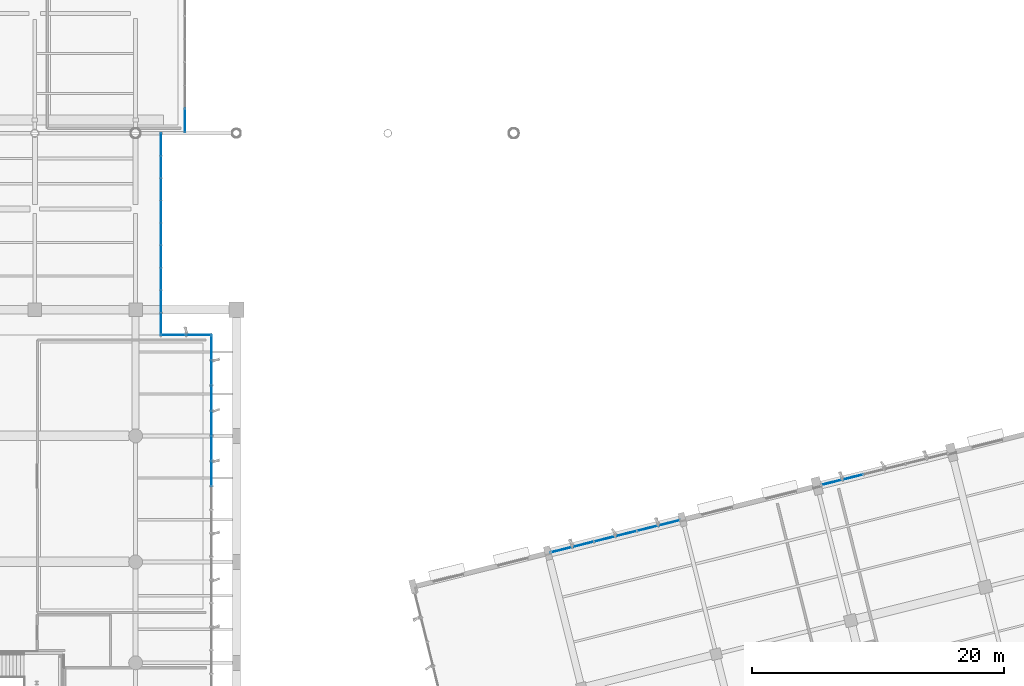
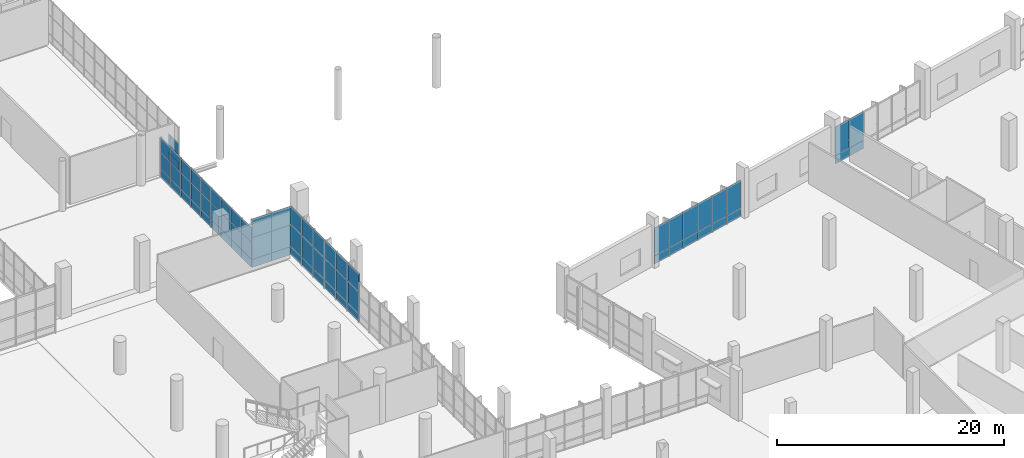
# One storey, part 130 of 176: 69 plates, 6 elements without a shape of their own.
"""IFC4 building model written with IfcOpenShell, lengths in metres."""

import ifcopenshell
import ifcopenshell.guid

model = None  # the IFC model being written
_history = None  # IfcOwnerHistory: only IFC2X3 demands one
_inside = {}  # id of a spatial element -> (the spatial element, [elements in it])
_under = {}  # id of a project, library or spatial element -> (it, [spatial elements below it])
_declared = {}  # id of a project -> (the project, [libraries it declares])
_typed = {}  # id of a type object -> (the type object, [elements of that type])
_made_of = {}  # id of a material, layer set ... -> (it, [elements and type objects made of it])


def new_model(schema):
    """Start an empty IFC model of exactly this schema.

    Asked for "IFC4X3", IfcOpenShell would pick the latest addendum, in which some entities
    have other attributes; the version numbers below select the first issue.
    IFC2X3 requires an IfcOwnerHistory on every rooted entity: one is made here for all.
    """
    global model, _history
    if schema == "IFC4X3":
        model = ifcopenshell.file(schema_version=(4, 3, 0, 0))
    else:
        model = ifcopenshell.file(schema=schema)
    _inside.clear()
    _under.clear()
    _declared.clear()
    _typed.clear()
    _made_of.clear()
    _history = None
    if model.schema == "IFC2X3":
        org = make("IfcOrganization", Name="unknown")
        user = make(
            "IfcPersonAndOrganization",
            ThePerson=make("IfcPerson", FamilyName="unknown"),
            TheOrganization=org,
        )
        app = make(
            "IfcApplication",
            ApplicationDeveloper=org,
            Version="unknown",
            ApplicationFullName="unknown",
            ApplicationIdentifier="unknown",
        )
        _history = make(
            "IfcOwnerHistory",
            OwningUser=user,
            OwningApplication=app,
            ChangeAction="ADDED",
            CreationDate=0,
        )
    return model


def make(cls, **values):
    """One entity of the class cls with the attributes given. An attribute that is None is left unset."""
    return model.create_entity(
        cls, **{name: value for name, value in values.items() if value is not None}
    )


def rooted(cls, **values):
    """An entity with a GlobalId (a new one), such as an element, a storey or a relation."""
    return make(cls, GlobalId=ifcopenshell.guid.new(), OwnerHistory=_history, **values)


def si_unit(unit_type, name, prefix=None):
    """IfcSIUnit, for example si_unit("LENGTHUNIT", "METRE", prefix="MILLI")."""
    return make("IfcSIUnit", UnitType=unit_type, Prefix=prefix, Name=name)


def assignment(units):
    """IfcUnitAssignment: the units of a project."""
    return None if units is None else make("IfcUnitAssignment", Units=units)


def point(xyz):
    """IfcCartesianPoint."""
    return None if xyz is None else make("IfcCartesianPoint", Coordinates=xyz)


def direction(xyz):
    """IfcDirection."""
    return None if xyz is None else make("IfcDirection", DirectionRatios=xyz)


def frame(location, z_axis=None, x_axis=None):
    """IfcAxis2Placement3D, a coordinate frame: its origin and axes. An axis left out is left unset."""
    return make(
        "IfcAxis2Placement3D",
        Location=point(location),
        Axis=direction(z_axis),
        RefDirection=direction(x_axis),
    )


def frame_2d(location, x_axis=None):
    """IfcAxis2Placement2D, a coordinate frame in the plane: its origin and x axis."""
    return make(
        "IfcAxis2Placement2D", Location=point(location), RefDirection=direction(x_axis)
    )


def origin():
    """The frame at (0, 0, 0) with its axes left unset."""
    return frame((0.0, 0.0, 0.0))


def origin_2d():
    """The frame at (0, 0) in the plane with its x axis left unset."""
    return frame_2d((0.0, 0.0))


def place(relative_to, where):
    """IfcLocalPlacement: puts the frame where relative to a parent placement (None: the world)."""
    return make(
        "IfcLocalPlacement", PlacementRelTo=relative_to, RelativePlacement=where
    )


def context(
    kind, dimensions, precision=None, world=None, true_north=None, identifier=None
):
    """IfcGeometricRepresentationContext, for example the 3D "Model" context."""
    return make(
        "IfcGeometricRepresentationContext",
        ContextIdentifier=identifier,
        ContextType=kind,
        CoordinateSpaceDimension=dimensions,
        Precision=precision,
        WorldCoordinateSystem=world,
        TrueNorth=true_north,
    )


def subcontext(parent, identifier, kind, view, scale=None):
    """IfcGeometricRepresentationSubContext, for example "Body" below "Model"."""
    return make(
        "IfcGeometricRepresentationSubContext",
        ContextIdentifier=identifier,
        ContextType=kind,
        ParentContext=parent,
        TargetScale=scale,
        TargetView=view,
    )


def project(units=None, contexts=None):
    """IfcProject with its units and contexts."""
    return rooted(
        "IfcProject",
        Name="project",
        RepresentationContexts=contexts,
        UnitsInContext=assignment(units),
    )


def spatial(cls, under=None, at=None, **own):
    """A site, building, storey or space (cls), placed at a placement, below another one or the project."""
    s = rooted(cls, ObjectPlacement=at, **own)
    if under is not None:
        _under.setdefault(under.id(), (under, []))[1].append(s)
    return s


def profile(cls, at=None, kind="AREA", **sizes):
    """A parametric profile (cls). Its sizes go by their IFC names, for example OverallWidth=200.0."""
    return make(cls, ProfileType=kind, Position=at, **sizes)


def rectangle(**sizes):
    """IfcRectangleProfileDef."""
    return profile("IfcRectangleProfileDef", **sizes)


def extrude(swept, where, along, depth):
    """IfcExtrudedAreaSolid: the profile swept, set in the frame where, extruded along a direction by depth."""
    return make(
        "IfcExtrudedAreaSolid",
        SweptArea=swept,
        Position=where,
        ExtrudedDirection=direction(along),
        Depth=depth,
    )


def shape(context_of_items, identifier, shape_type, items):
    """IfcShapeRepresentation: the items that make up one representation, for example the "Body"."""
    return make(
        "IfcShapeRepresentation",
        ContextOfItems=context_of_items,
        RepresentationIdentifier=identifier,
        RepresentationType=shape_type,
        Items=items,
    )


def material(Name=None, Category=None):
    """IfcMaterial."""
    return make("IfcMaterial", Name=Name, Category=Category)


def layer(
    of_material, thickness, ventilated=None, Name=None, Category=None, Priority=None
):
    """IfcMaterialLayer: one layer of a wall or slab, of a material (None: an air gap)."""
    return make(
        "IfcMaterialLayer",
        Material=of_material,
        LayerThickness=thickness,
        IsVentilated=ventilated,
        Name=Name,
        Category=Category,
        Priority=Priority,
    )


def layer_set(layers, Name=None):
    """IfcMaterialLayerSet."""
    return make("IfcMaterialLayerSet", MaterialLayers=layers, LayerSetName=Name)


def made_of(thing, what):
    """Note that an element or type object is made of a material, layer set ...; save() writes the relation."""
    if what is not None:
        _made_of.setdefault(what.id(), (what, []))[1].append(thing)
    return thing


def type_object(cls, material=None, **own):
    """A type object (cls), such as IfcWallType, which elements share."""
    return made_of(rooted(cls, **own), material)


def element(
    cls,
    number,
    at=None,
    inside=None,
    cuts=None,
    type_object=None,
    material=None,
    context=None,
    identifier="Body",
    shape_type=None,
    held_by="IfcProductDefinitionShape",
    body=None,
    shapes=None,
    **own,
):
    """One element of the class cls, such as IfcWall. Its Tag is "e" and its number.

    at: its placement. inside: the storey or other place that contains it. cuts: it is an
    opening in that element (IfcRelVoidsElement). A single representation is given by context,
    identifier, shape_type and body (its items); several are given by shapes. held_by: the class
    of the entity that holds the representations. save() writes the other relations.
    """
    e = rooted(cls, Tag="e%d" % number, ObjectPlacement=at, **own)
    if body is not None:
        shapes = [shape(context, identifier, shape_type, body)]
    if shapes is not None:
        e.Representation = make(held_by, Representations=shapes)
    if inside is not None:
        _inside.setdefault(inside.id(), (inside, []))[1].append(e)
    if cuts is not None:
        rooted(
            "IfcRelVoidsElement", RelatingBuildingElement=cuts, RelatedOpeningElement=e
        )
    if type_object is not None:
        _typed.setdefault(type_object.id(), (type_object, []))[1].append(e)
    return made_of(e, material)


def aggregate(whole, parts):
    """IfcRelAggregates: a whole, such as a stair, and the parts it consists of."""
    return rooted("IfcRelAggregates", RelatingObject=whole, RelatedObjects=parts)


def save(model, path):
    """Write the relations noted so far, then the file.

    IfcRelAggregates (storeys below a building ...), IfcRelContainedInSpatialStructure (elements
    in a storey), IfcRelDefinesByType, IfcRelAssociatesMaterial and IfcRelDeclares: one each for
    every whole, place, type object, material and project.
    """
    for whole, parts in _under.values():
        aggregate(whole, parts)
    for where, things in _inside.values():
        rooted(
            "IfcRelContainedInSpatialStructure",
            RelatedElements=things,
            RelatingStructure=where,
        )
    for kind, things in _typed.values():
        rooted("IfcRelDefinesByType", RelatedObjects=things, RelatingType=kind)
    for what, things in _made_of.values():
        rooted("IfcRelAssociatesMaterial", RelatedObjects=things, RelatingMaterial=what)
    for by, libraries in _declared.values():
        rooted("IfcRelDeclares", RelatingContext=by, RelatedDefinitions=libraries)
    model.write(path)


model = new_model("IFC4")

# Units and contexts
model_context = context("Model", 3, precision=1e-05, world=origin(), true_north=direction((0.0, 1.0)))
body_context = subcontext(model_context, "Body", "Model", "MODEL_VIEW")
ifc_project = project(units=[si_unit("LENGTHUNIT", "METRE"), si_unit("AREAUNIT", "SQUARE_METRE"), si_unit("VOLUMEUNIT", "CUBIC_METRE"), si_unit("PLANEANGLEUNIT", "RADIAN"), si_unit("MASSUNIT", "GRAM", prefix="KILO")], contexts=[model_context])

# Site, building, storey
site_placement = place(None, origin())
site = spatial("IfcSite", under=ifc_project, at=site_placement, CompositionType="ELEMENT")
building_placement = place(site_placement, origin())
building = spatial("IfcBuilding", under=site, at=building_placement, Name="Khorjan Park Terminus", CompositionType="ELEMENT")
storey_placement = place(building_placement, frame((0.0, 0.0, 6.0)))
storey = spatial("IfcBuildingStorey", under=building, at=storey_placement, Name="L01", CompositionType="ELEMENT", Elevation=6.0)

# Curtain wall, plates
ifc_material_1 = material(Name="Anodized Bronze Aluminium", Category="aluminium")
ifc_layer_1 = layer(ifc_material_1, 0.22)
ifc_layer_set_1 = layer_set([ifc_layer_1], Name="Anodized Bronze Aluminium")
curtain_wall_type_1 = type_object("IfcCurtainWallType", Name="CW-BRG-D", PredefinedType="NOTDEFINED", material=ifc_layer_set_1)
curtain_wall_1_placement = place(storey_placement, origin())
curtain_wall_1 = element("IfcCurtainWall", 1, at=curtain_wall_1_placement, inside=storey, type_object=curtain_wall_type_1, Name="Unitized curtain wall CW-D (CW-NKE-E-L01)", PredefinedType="NOTDEFINED")
ifc_material_2 = material(Name="Low-E Solar Control Double Glazing", Category="glass")
ifc_layer_2 = layer(ifc_material_2, 0.032)
ifc_layer_set_2 = layer_set([ifc_layer_2], Name="Low-E Solar Control Double Glazing")
plate_type_1 = type_object("IfcPlateType", Name="GL-VIS-32", PredefinedType="CURTAIN_PANEL", material=ifc_layer_set_2)
plate_1_placement = place(storey_placement, frame((130.0, 86.8889, 0.85), z_axis=(0.0, 0.0, 1.0), x_axis=(0.0, 1.0, 0.0)))
plate_1 = element("IfcPlate", 2, at=plate_1_placement, type_object=plate_type_1, Name="Curtain-wall panel VP-32 (CW-NKE-E-L01-0-2)", PredefinedType="CURTAIN_PANEL", context=body_context, shape_type="SweptSolid", body=[
    extrude(rectangle(XDim=1.7778, YDim=0.032, at=origin_2d()), origin(), (0.0, 0.0, 1.0), 1.7695),
])
plate_2_placement = place(storey_placement, frame((130.0, 86.8889, 2.6196), z_axis=(0.0, 0.0, 1.0), x_axis=(0.0, 1.0, 0.0)))
plate_2 = element("IfcPlate", 3, at=plate_2_placement, type_object=plate_type_1, Name="Curtain-wall panel VP-32 (CW-NKE-E-L01-0-3)", PredefinedType="CURTAIN_PANEL", context=body_context, shape_type="SweptSolid", body=[
    extrude(rectangle(XDim=1.7778, YDim=0.032, at=origin_2d()), origin(), (0.0, 0.0, 1.0), 1.6155),
])
plate_3_placement = place(storey_placement, frame((130.0, 88.6667, 0.85), z_axis=(0.0, 0.0, 1.0), x_axis=(0.0, 1.0, 0.0)))
plate_3 = element("IfcPlate", 4, at=plate_3_placement, type_object=plate_type_1, Name="Curtain-wall panel VP-32 (CW-NKE-E-L01-1-2)", PredefinedType="CURTAIN_PANEL", context=body_context, shape_type="SweptSolid", body=[
    extrude(rectangle(XDim=1.7778, YDim=0.032, at=origin_2d()), origin(), (0.0, 0.0, 1.0), 1.7695),
])
plate_4_placement = place(storey_placement, frame((130.0, 88.6667, 2.6196), z_axis=(0.0, 0.0, 1.0), x_axis=(0.0, 1.0, 0.0)))
plate_4 = element("IfcPlate", 5, at=plate_4_placement, type_object=plate_type_1, Name="Curtain-wall panel VP-32 (CW-NKE-E-L01-1-3)", PredefinedType="CURTAIN_PANEL", context=body_context, shape_type="SweptSolid", body=[
    extrude(rectangle(XDim=1.7778, YDim=0.032, at=origin_2d()), origin(), (0.0, 0.0, 1.0), 1.6155),
])
plate_5_placement = place(storey_placement, frame((130.0, 90.4444, 0.85), z_axis=(0.0, 0.0, 1.0), x_axis=(0.0, 1.0, 0.0)))
plate_5 = element("IfcPlate", 6, at=plate_5_placement, type_object=plate_type_1, Name="Curtain-wall panel VP-32 (CW-NKE-E-L01-2-2)", PredefinedType="CURTAIN_PANEL", context=body_context, shape_type="SweptSolid", body=[
    extrude(rectangle(XDim=1.7778, YDim=0.032, at=origin_2d()), origin(), (0.0, 0.0, 1.0), 1.7695),
])
plate_6_placement = place(storey_placement, frame((130.0, 90.4444, 2.6196), z_axis=(0.0, 0.0, 1.0), x_axis=(0.0, 1.0, 0.0)))
plate_6 = element("IfcPlate", 7, at=plate_6_placement, type_object=plate_type_1, Name="Curtain-wall panel VP-32 (CW-NKE-E-L01-2-3)", PredefinedType="CURTAIN_PANEL", context=body_context, shape_type="SweptSolid", body=[
    extrude(rectangle(XDim=1.7778, YDim=0.032, at=origin_2d()), origin(), (0.0, 0.0, 1.0), 1.6155),
])
plate_7_placement = place(storey_placement, frame((130.0, 92.2222, 0.85), z_axis=(0.0, 0.0, 1.0), x_axis=(0.0, 1.0, 0.0)))
plate_7 = element("IfcPlate", 8, at=plate_7_placement, type_object=plate_type_1, Name="Curtain-wall panel VP-32 (CW-NKE-E-L01-3-2)", PredefinedType="CURTAIN_PANEL", context=body_context, shape_type="SweptSolid", body=[
    extrude(rectangle(XDim=1.7778, YDim=0.032, at=origin_2d()), origin(), (0.0, 0.0, 1.0), 1.7695),
])
plate_8_placement = place(storey_placement, frame((130.0, 92.2222, 2.6196), z_axis=(0.0, 0.0, 1.0), x_axis=(0.0, 1.0, 0.0)))
plate_8 = element("IfcPlate", 9, at=plate_8_placement, type_object=plate_type_1, Name="Curtain-wall panel VP-32 (CW-NKE-E-L01-3-3)", PredefinedType="CURTAIN_PANEL", context=body_context, shape_type="SweptSolid", body=[
    extrude(rectangle(XDim=1.7778, YDim=0.032, at=origin_2d()), origin(), (0.0, 0.0, 1.0), 1.6155),
])
plate_9_placement = place(storey_placement, frame((130.0, 94.0, 0.85), z_axis=(0.0, 0.0, 1.0), x_axis=(0.0, 1.0, 0.0)))
plate_9 = element("IfcPlate", 10, at=plate_9_placement, type_object=plate_type_1, Name="Curtain-wall panel VP-32 (CW-NKE-E-L01-4-2)", PredefinedType="CURTAIN_PANEL", context=body_context, shape_type="SweptSolid", body=[
    extrude(rectangle(XDim=1.7778, YDim=0.032, at=origin_2d()), origin(), (0.0, 0.0, 1.0), 1.7695),
])
plate_10_placement = place(storey_placement, frame((130.0, 94.0, 2.6196), z_axis=(0.0, 0.0, 1.0), x_axis=(0.0, 1.0, 0.0)))
plate_10 = element("IfcPlate", 11, at=plate_10_placement, type_object=plate_type_1, Name="Curtain-wall panel VP-32 (CW-NKE-E-L01-4-3)", PredefinedType="CURTAIN_PANEL", context=body_context, shape_type="SweptSolid", body=[
    extrude(rectangle(XDim=1.7778, YDim=0.032, at=origin_2d()), origin(), (0.0, 0.0, 1.0), 1.6155),
])
plate_11_placement = place(storey_placement, frame((130.0, 95.7778, 0.85), z_axis=(0.0, 0.0, 1.0), x_axis=(0.0, 1.0, 0.0)))
plate_11 = element("IfcPlate", 12, at=plate_11_placement, type_object=plate_type_1, Name="Curtain-wall panel VP-32 (CW-NKE-E-L01-5-2)", PredefinedType="CURTAIN_PANEL", context=body_context, shape_type="SweptSolid", body=[
    extrude(rectangle(XDim=1.7778, YDim=0.032, at=origin_2d()), origin(), (0.0, 0.0, 1.0), 1.7695),
])
plate_12_placement = place(storey_placement, frame((130.0, 95.7778, 2.6196), z_axis=(0.0, 0.0, 1.0), x_axis=(0.0, 1.0, 0.0)))
plate_12 = element("IfcPlate", 13, at=plate_12_placement, type_object=plate_type_1, Name="Curtain-wall panel VP-32 (CW-NKE-E-L01-5-3)", PredefinedType="CURTAIN_PANEL", context=body_context, shape_type="SweptSolid", body=[
    extrude(rectangle(XDim=1.7778, YDim=0.032, at=origin_2d()), origin(), (0.0, 0.0, 1.0), 1.6155),
])
plate_13_placement = place(storey_placement, frame((130.0, 97.5556, 0.85), z_axis=(0.0, 0.0, 1.0), x_axis=(0.0, 1.0, 0.0)))
plate_13 = element("IfcPlate", 14, at=plate_13_placement, type_object=plate_type_1, Name="Curtain-wall panel VP-32 (CW-NKE-E-L01-6-2)", PredefinedType="CURTAIN_PANEL", context=body_context, shape_type="SweptSolid", body=[
    extrude(rectangle(XDim=1.7778, YDim=0.032, at=origin_2d()), origin(), (0.0, 0.0, 1.0), 1.7695),
])
plate_14_placement = place(storey_placement, frame((130.0, 97.5556, 2.6196), z_axis=(0.0, 0.0, 1.0), x_axis=(0.0, 1.0, 0.0)))
plate_14 = element("IfcPlate", 15, at=plate_14_placement, type_object=plate_type_1, Name="Curtain-wall panel VP-32 (CW-NKE-E-L01-6-3)", PredefinedType="CURTAIN_PANEL", context=body_context, shape_type="SweptSolid", body=[
    extrude(rectangle(XDim=1.7778, YDim=0.032, at=origin_2d()), origin(), (0.0, 0.0, 1.0), 1.6155),
])
plate_15_placement = place(storey_placement, frame((130.0, 99.3333, 0.85), z_axis=(0.0, 0.0, 1.0), x_axis=(0.0, 1.0, 0.0)))
plate_15 = element("IfcPlate", 16, at=plate_15_placement, type_object=plate_type_1, Name="Curtain-wall panel VP-32 (CW-NKE-E-L01-7-2)", PredefinedType="CURTAIN_PANEL", context=body_context, shape_type="SweptSolid", body=[
    extrude(rectangle(XDim=1.7778, YDim=0.032, at=origin_2d()), origin(), (0.0, 0.0, 1.0), 1.7695),
])
plate_16_placement = place(storey_placement, frame((130.0, 99.3333, 2.6196), z_axis=(0.0, 0.0, 1.0), x_axis=(0.0, 1.0, 0.0)))
plate_16 = element("IfcPlate", 17, at=plate_16_placement, type_object=plate_type_1, Name="Curtain-wall panel VP-32 (CW-NKE-E-L01-7-3)", PredefinedType="CURTAIN_PANEL", context=body_context, shape_type="SweptSolid", body=[
    extrude(rectangle(XDim=1.7778, YDim=0.032, at=origin_2d()), origin(), (0.0, 0.0, 1.0), 1.6155),
])
plate_17_placement = place(storey_placement, frame((130.0, 101.1111, 0.85), z_axis=(0.0, 0.0, 1.0), x_axis=(0.0, 1.0, 0.0)))
plate_17 = element("IfcPlate", 18, at=plate_17_placement, type_object=plate_type_1, Name="Curtain-wall panel VP-32 (CW-NKE-E-L01-8-2)", PredefinedType="CURTAIN_PANEL", context=body_context, shape_type="SweptSolid", body=[
    extrude(rectangle(XDim=1.7778, YDim=0.032, at=origin_2d()), origin(), (0.0, 0.0, 1.0), 1.7695),
])
plate_18_placement = place(storey_placement, frame((130.0, 101.1111, 2.6196), z_axis=(0.0, 0.0, 1.0), x_axis=(0.0, 1.0, 0.0)))
plate_18 = element("IfcPlate", 19, at=plate_18_placement, type_object=plate_type_1, Name="Curtain-wall panel VP-32 (CW-NKE-E-L01-8-3)", PredefinedType="CURTAIN_PANEL", context=body_context, shape_type="SweptSolid", body=[
    extrude(rectangle(XDim=1.7778, YDim=0.032, at=origin_2d()), origin(), (0.0, 0.0, 1.0), 1.6155),
])

ifc_layer_3 = layer(ifc_material_1, 0.22)
ifc_layer_set_3 = layer_set([ifc_layer_3], Name="Anodized Bronze Aluminium")
curtain_wall_type_2 = type_object("IfcCurtainWallType", Name="CW-OPS-B", PredefinedType="NOTDEFINED", material=ifc_layer_set_3)
curtain_wall_2_placement = place(storey_placement, origin())
curtain_wall_2 = element("IfcCurtainWall", 20, at=curtain_wall_2_placement, inside=storey, type_object=curtain_wall_type_2, Name="Unitized curtain wall CW-B (CW-V5-N-L01-B03)", PredefinedType="NOTDEFINED")
plate_19_placement = place(storey_placement, frame((184.8813, 74.7281, 0.85), z_axis=(0.0, 0.0, 1.0), x_axis=(-0.970295910648, -0.241921156122, 0.0)))
plate_19 = element("IfcPlate", 21, at=plate_19_placement, type_object=plate_type_1, Name="Curtain-wall panel VP-32 (CW-V5-N-L01-B03-4-2)", PredefinedType="CURTAIN_PANEL", context=body_context, shape_type="SweptSolid", body=[
    extrude(rectangle(XDim=1.7233, YDim=0.032, at=origin_2d()), origin(), (0.0, 0.0, 1.0), 3.095),
])
plate_20_placement = place(storey_placement, frame((183.2092, 74.3113, 0.85), z_axis=(0.0, 0.0, 1.0), x_axis=(-0.970295910648, -0.241921156122, 0.0)))
plate_20 = element("IfcPlate", 22, at=plate_20_placement, type_object=plate_type_1, Name="Curtain-wall panel VP-32 (CW-V5-N-L01-B03-5-2)", PredefinedType="CURTAIN_PANEL", context=body_context, shape_type="SweptSolid", body=[
    extrude(rectangle(XDim=1.7233, YDim=0.032, at=origin_2d()), origin(), (0.0, 0.0, 1.0), 3.095),
])

# Curtain wall, plate
curtain_wall_3_placement = place(storey_placement, origin())
curtain_wall_3 = element("IfcCurtainWall", 23, at=curtain_wall_3_placement, inside=storey, type_object=curtain_wall_type_1, Name="Unitized curtain wall CW-D (CW-BRE-E-1)", PredefinedType="NOTDEFINED")
plate_21_placement = place(storey_placement, frame((131.9, 103.0214, 0.85), z_axis=(0.0, 0.0, 1.0), x_axis=(0.0, 1.0, 0.0)))
plate_21 = element("IfcPlate", 24, at=plate_21_placement, type_object=plate_type_1, Name="Curtain-wall panel VP-32 (CW-BRE-E-1-0-2)", PredefinedType="CURTAIN_PANEL", context=body_context, shape_type="SweptSolid", body=[
    extrude(rectangle(XDim=1.8429, YDim=0.032, at=origin_2d()), origin(), (0.0, 0.0, 1.0), 2.002),
])

# Curtain wall, plates
curtain_wall_4_placement = place(storey_placement, origin())
curtain_wall_4 = element("IfcCurtainWall", 25, at=curtain_wall_4_placement, inside=storey, type_object=curtain_wall_type_2, Name="Unitized curtain wall CW-B (CW-V5-N-L01-B05)", PredefinedType="NOTDEFINED")
ifc_material_3 = material(Name="Acoustic Laminated Solar Glazing", Category="glass")
ifc_layer_4 = layer(ifc_material_3, 0.036)
ifc_layer_set_4 = layer_set([ifc_layer_4], Name="Acoustic Laminated Solar Glazing")
plate_type_2 = type_object("IfcPlateType", Name="GL-VIS-36", PredefinedType="CURTAIN_PANEL", material=ifc_layer_set_4)
plate_22_placement = place(storey_placement, frame((170.3046, 71.0937, 0.848), z_axis=(0.0, 0.0, 1.0), x_axis=(-0.970298556262, -0.241910544861, 0.0)))
plate_22 = element("IfcPlate", 26, at=plate_22_placement, type_object=plate_type_2, Name="Curtain-wall panel VP-36 (CW-V5-N-L01-B05-0-2)", PredefinedType="CURTAIN_PANEL", context=body_context, shape_type="SweptSolid", body=[
    extrude(rectangle(XDim=1.7568, YDim=0.036, at=origin_2d()), origin(), (0.0, 0.0, 1.0), 3.017),
])
plate_23_placement = place(storey_placement, frame((168.6, 70.6687, 0.848), z_axis=(0.0, 0.0, 1.0), x_axis=(-0.970298556262, -0.241910544861, 0.0)))
plate_23 = element("IfcPlate", 27, at=plate_23_placement, type_object=plate_type_2, Name="Curtain-wall panel VP-36 (CW-V5-N-L01-B05-1-2)", PredefinedType="CURTAIN_PANEL", context=body_context, shape_type="SweptSolid", body=[
    extrude(rectangle(XDim=1.7568, YDim=0.036, at=origin_2d()), origin(), (0.0, 0.0, 1.0), 3.017),
])
plate_24_placement = place(storey_placement, frame((166.8954, 70.2437, 0.848), z_axis=(0.0, 0.0, 1.0), x_axis=(-0.970298556262, -0.241910544861, 0.0)))
plate_24 = element("IfcPlate", 28, at=plate_24_placement, type_object=plate_type_2, Name="Curtain-wall panel VP-36 (CW-V5-N-L01-B05-2-2)", PredefinedType="CURTAIN_PANEL", context=body_context, shape_type="SweptSolid", body=[
    extrude(rectangle(XDim=1.7568, YDim=0.036, at=origin_2d()), origin(), (0.0, 0.0, 1.0), 3.017),
])
plate_25_placement = place(storey_placement, frame((165.1908, 69.8187, 0.848), z_axis=(0.0, 0.0, 1.0), x_axis=(-0.970298556262, -0.241910544861, 0.0)))
plate_25 = element("IfcPlate", 29, at=plate_25_placement, type_object=plate_type_2, Name="Curtain-wall panel VP-36 (CW-V5-N-L01-B05-3-2)", PredefinedType="CURTAIN_PANEL", context=body_context, shape_type="SweptSolid", body=[
    extrude(rectangle(XDim=1.7568, YDim=0.036, at=origin_2d()), origin(), (0.0, 0.0, 1.0), 3.017),
])
plate_26_placement = place(storey_placement, frame((163.4862, 69.3938, 0.848), z_axis=(0.0, 0.0, 1.0), x_axis=(-0.970298556262, -0.241910544861, 0.0)))
plate_26 = element("IfcPlate", 30, at=plate_26_placement, type_object=plate_type_2, Name="Curtain-wall panel VP-36 (CW-V5-N-L01-B05-4-2)", PredefinedType="CURTAIN_PANEL", context=body_context, shape_type="SweptSolid", body=[
    extrude(rectangle(XDim=1.7568, YDim=0.036, at=origin_2d()), origin(), (0.0, 0.0, 1.0), 3.017),
])
plate_27_placement = place(storey_placement, frame((161.7816, 68.9688, 0.848), z_axis=(0.0, 0.0, 1.0), x_axis=(-0.970298556262, -0.241910544861, 0.0)))
plate_27 = element("IfcPlate", 31, at=plate_27_placement, type_object=plate_type_2, Name="Curtain-wall panel VP-36 (CW-V5-N-L01-B05-5-2)", PredefinedType="CURTAIN_PANEL", context=body_context, shape_type="SweptSolid", body=[
    extrude(rectangle(XDim=1.7568, YDim=0.036, at=origin_2d()), origin(), (0.0, 0.0, 1.0), 3.017),
])

ifc_layer_5 = layer(ifc_material_1, 0.22)
ifc_layer_set_5 = layer_set([ifc_layer_5], Name="Anodized Bronze Aluminium")
curtain_wall_type_3 = type_object("IfcCurtainWallType", Name="CW-CONC-A", PredefinedType="NOTDEFINED", material=ifc_layer_set_5)
curtain_wall_5_placement = place(storey_placement, origin())
curtain_wall_5 = element("IfcCurtainWall", 32, at=curtain_wall_5_placement, inside=storey, type_object=curtain_wall_type_3, Name="Unitized curtain wall CW-A (CW-V2-N-L01-08)", PredefinedType="NOTDEFINED")
ifc_material_4 = material(Name="Triple Low-E High-Selectivity Glazing", Category="glass")
ifc_layer_6 = layer(ifc_material_4, 0.04)
ifc_layer_set_6 = layer_set([ifc_layer_6], Name="Triple Low-E High-Selectivity Glazing")
plate_type_3 = type_object("IfcPlateType", Name="GL-VIS-40", PredefinedType="CURTAIN_PANEL", material=ifc_layer_set_6)
plate_28_placement = place(storey_placement, frame((133.0, 86.0, 0.85), z_axis=(0.0, 0.0, 1.0), x_axis=(-1.0, 0.0, 0.0)))
plate_28 = element("IfcPlate", 33, at=plate_28_placement, type_object=plate_type_3, Name="Curtain-wall panel VP-40 (CW-V2-N-L01-08-0-2)", PredefinedType="CURTAIN_PANEL", context=body_context, shape_type="SweptSolid", body=[
    extrude(rectangle(XDim=2.0, YDim=0.04, at=origin_2d()), origin(), (0.0, 0.0, 1.0), 2.343),
])
plate_29_placement = place(storey_placement, frame((133.0, 86.0, 3.193), z_axis=(0.0, 0.0, 1.0), x_axis=(-1.0, 0.0, 0.0)))
plate_29 = element("IfcPlate", 34, at=plate_29_placement, type_object=plate_type_3, Name="Curtain-wall panel VP-40 (CW-V2-N-L01-08-0-3)", PredefinedType="CURTAIN_PANEL", context=body_context, shape_type="SweptSolid", body=[
    extrude(rectangle(XDim=2.0, YDim=0.04, at=origin_2d()), origin(), (0.0, 0.0, 1.0), 1.967),
])
plate_30_placement = place(storey_placement, frame((131.0, 86.0, 0.85), z_axis=(0.0, 0.0, 1.0), x_axis=(-1.0, 0.0, 0.0)))
plate_30 = element("IfcPlate", 35, at=plate_30_placement, type_object=plate_type_3, Name="Curtain-wall panel VP-40 (CW-V2-N-L01-08-1-2)", PredefinedType="CURTAIN_PANEL", context=body_context, shape_type="SweptSolid", body=[
    extrude(rectangle(XDim=2.0, YDim=0.04, at=origin_2d()), origin(), (0.0, 0.0, 1.0), 2.343),
])
plate_31_placement = place(storey_placement, frame((131.0, 86.0, 3.193), z_axis=(0.0, 0.0, 1.0), x_axis=(-1.0, 0.0, 0.0)))
plate_31 = element("IfcPlate", 36, at=plate_31_placement, type_object=plate_type_3, Name="Curtain-wall panel VP-40 (CW-V2-N-L01-08-1-3)", PredefinedType="CURTAIN_PANEL", context=body_context, shape_type="SweptSolid", body=[
    extrude(rectangle(XDim=2.0, YDim=0.04, at=origin_2d()), origin(), (0.0, 0.0, 1.0), 1.967),
])

curtain_wall_6_placement = place(storey_placement, origin())
curtain_wall_6 = element("IfcCurtainWall", 37, at=curtain_wall_6_placement, inside=storey, type_object=curtain_wall_type_3, Name="Unitized curtain wall CW-A (CW-V2-E-L01-04)", PredefinedType="NOTDEFINED")
plate_32_placement = place(storey_placement, frame((134.0, 75.0, 0.85), z_axis=(0.0, 0.0, 1.0), x_axis=(0.0, 1.0, 0.0)))
plate_32 = element("IfcPlate", 38, at=plate_32_placement, type_object=plate_type_3, Name="Curtain-wall panel VP-40 (CW-V2-E-L01-04-0-2)", PredefinedType="CURTAIN_PANEL", context=body_context, shape_type="SweptSolid", body=[
    extrude(rectangle(XDim=2.0, YDim=0.04, at=origin_2d()), origin(), (0.0, 0.0, 1.0), 2.343),
])
plate_33_placement = place(storey_placement, frame((134.0, 75.0, 3.193), z_axis=(0.0, 0.0, 1.0), x_axis=(0.0, 1.0, 0.0)))
plate_33 = element("IfcPlate", 39, at=plate_33_placement, type_object=plate_type_3, Name="Curtain-wall panel VP-40 (CW-V2-E-L01-04-0-3)", PredefinedType="CURTAIN_PANEL", context=body_context, shape_type="SweptSolid", body=[
    extrude(rectangle(XDim=2.0, YDim=0.04, at=origin_2d()), origin(), (0.0, 0.0, 1.0), 1.967),
])
plate_34_placement = place(storey_placement, frame((134.0, 77.0, 0.85), z_axis=(0.0, 0.0, 1.0), x_axis=(0.0, 1.0, 0.0)))
plate_34 = element("IfcPlate", 40, at=plate_34_placement, type_object=plate_type_3, Name="Curtain-wall panel VP-40 (CW-V2-E-L01-04-1-2)", PredefinedType="CURTAIN_PANEL", context=body_context, shape_type="SweptSolid", body=[
    extrude(rectangle(XDim=2.0, YDim=0.04, at=origin_2d()), origin(), (0.0, 0.0, 1.0), 2.343),
])
plate_35_placement = place(storey_placement, frame((134.0, 77.0, 3.193), z_axis=(0.0, 0.0, 1.0), x_axis=(0.0, 1.0, 0.0)))
plate_35 = element("IfcPlate", 41, at=plate_35_placement, type_object=plate_type_3, Name="Curtain-wall panel VP-40 (CW-V2-E-L01-04-1-3)", PredefinedType="CURTAIN_PANEL", context=body_context, shape_type="SweptSolid", body=[
    extrude(rectangle(XDim=2.0, YDim=0.04, at=origin_2d()), origin(), (0.0, 0.0, 1.0), 1.967),
])
plate_36_placement = place(storey_placement, frame((134.0, 79.0, 0.85), z_axis=(0.0, 0.0, 1.0), x_axis=(0.0, 1.0, 0.0)))
plate_36 = element("IfcPlate", 42, at=plate_36_placement, type_object=plate_type_3, Name="Curtain-wall panel VP-40 (CW-V2-E-L01-04-2-2)", PredefinedType="CURTAIN_PANEL", context=body_context, shape_type="SweptSolid", body=[
    extrude(rectangle(XDim=2.0, YDim=0.04, at=origin_2d()), origin(), (0.0, 0.0, 1.0), 2.343),
])
plate_37_placement = place(storey_placement, frame((134.0, 79.0, 3.193), z_axis=(0.0, 0.0, 1.0), x_axis=(0.0, 1.0, 0.0)))
plate_37 = element("IfcPlate", 43, at=plate_37_placement, type_object=plate_type_3, Name="Curtain-wall panel VP-40 (CW-V2-E-L01-04-2-3)", PredefinedType="CURTAIN_PANEL", context=body_context, shape_type="SweptSolid", body=[
    extrude(rectangle(XDim=2.0, YDim=0.04, at=origin_2d()), origin(), (0.0, 0.0, 1.0), 1.967),
])
plate_38_placement = place(storey_placement, frame((134.0, 81.0, 0.85), z_axis=(0.0, 0.0, 1.0), x_axis=(0.0, 1.0, 0.0)))
plate_38 = element("IfcPlate", 44, at=plate_38_placement, type_object=plate_type_3, Name="Curtain-wall panel VP-40 (CW-V2-E-L01-04-3-2)", PredefinedType="CURTAIN_PANEL", context=body_context, shape_type="SweptSolid", body=[
    extrude(rectangle(XDim=2.0, YDim=0.04, at=origin_2d()), origin(), (0.0, 0.0, 1.0), 2.343),
])
plate_39_placement = place(storey_placement, frame((134.0, 81.0, 3.193), z_axis=(0.0, 0.0, 1.0), x_axis=(0.0, 1.0, 0.0)))
plate_39 = element("IfcPlate", 45, at=plate_39_placement, type_object=plate_type_3, Name="Curtain-wall panel VP-40 (CW-V2-E-L01-04-3-3)", PredefinedType="CURTAIN_PANEL", context=body_context, shape_type="SweptSolid", body=[
    extrude(rectangle(XDim=2.0, YDim=0.04, at=origin_2d()), origin(), (0.0, 0.0, 1.0), 1.967),
])
plate_40_placement = place(storey_placement, frame((134.0, 83.0, 0.85), z_axis=(0.0, 0.0, 1.0), x_axis=(0.0, 1.0, 0.0)))
plate_40 = element("IfcPlate", 46, at=plate_40_placement, type_object=plate_type_3, Name="Curtain-wall panel VP-40 (CW-V2-E-L01-04-4-2)", PredefinedType="CURTAIN_PANEL", context=body_context, shape_type="SweptSolid", body=[
    extrude(rectangle(XDim=2.0, YDim=0.04, at=origin_2d()), origin(), (0.0, 0.0, 1.0), 2.343),
])
plate_41_placement = place(storey_placement, frame((134.0, 83.0, 3.193), z_axis=(0.0, 0.0, 1.0), x_axis=(0.0, 1.0, 0.0)))
plate_41 = element("IfcPlate", 47, at=plate_41_placement, type_object=plate_type_3, Name="Curtain-wall panel VP-40 (CW-V2-E-L01-04-4-3)", PredefinedType="CURTAIN_PANEL", context=body_context, shape_type="SweptSolid", body=[
    extrude(rectangle(XDim=2.0, YDim=0.04, at=origin_2d()), origin(), (0.0, 0.0, 1.0), 1.967),
])
plate_42_placement = place(storey_placement, frame((134.0, 85.0, 0.85), z_axis=(0.0, 0.0, 1.0), x_axis=(0.0, 1.0, 0.0)))
plate_42 = element("IfcPlate", 48, at=plate_42_placement, type_object=plate_type_3, Name="Curtain-wall panel VP-40 (CW-V2-E-L01-04-5-2)", PredefinedType="CURTAIN_PANEL", context=body_context, shape_type="SweptSolid", body=[
    extrude(rectangle(XDim=2.0, YDim=0.04, at=origin_2d()), origin(), (0.0, 0.0, 1.0), 2.343),
])
plate_43_placement = place(storey_placement, frame((134.0, 85.0, 3.193), z_axis=(0.0, 0.0, 1.0), x_axis=(0.0, 1.0, 0.0)))
plate_43 = element("IfcPlate", 49, at=plate_43_placement, type_object=plate_type_3, Name="Curtain-wall panel VP-40 (CW-V2-E-L01-04-5-3)", PredefinedType="CURTAIN_PANEL", context=body_context, shape_type="SweptSolid", body=[
    extrude(rectangle(XDim=2.0, YDim=0.04, at=origin_2d()), origin(), (0.0, 0.0, 1.0), 1.967),
])

# Plate
ifc_material_5 = material(Name="Insulated Anodized Bronze Spandrel Panel")
ifc_layer_7 = layer(ifc_material_5, 0.045)
ifc_layer_set_7 = layer_set([ifc_layer_7], Name="Insulated Anodized Bronze Spandrel Panel")
plate_type_4 = type_object("IfcPlateType", Name="SP-AL-45", PredefinedType="CURTAIN_PANEL", material=ifc_layer_set_7)
plate_44_placement = place(storey_placement, frame((133.0, 86.0, -0.01), z_axis=(0.0, 0.0, 1.0), x_axis=(-1.0, 0.0, 0.0)))
plate_44 = element("IfcPlate", 50, at=plate_44_placement, type_object=plate_type_4, Name="Curtain-wall panel SP-A45 (CW-V2-N-L01-08-0-1)", PredefinedType="CURTAIN_PANEL", context=body_context, shape_type="SweptSolid", body=[
    extrude(rectangle(XDim=2.0, YDim=0.045, at=origin_2d()), origin(), (0.0, 0.0, 1.0), 0.86),
])

plate_45_placement = place(storey_placement, frame((131.0, 86.0, -0.01), z_axis=(0.0, 0.0, 1.0), x_axis=(-1.0, 0.0, 0.0)))
plate_45 = element("IfcPlate", 51, at=plate_45_placement, type_object=plate_type_4, Name="Curtain-wall panel SP-A45 (CW-V2-N-L01-08-1-1)", PredefinedType="CURTAIN_PANEL", context=body_context, shape_type="SweptSolid", body=[
    extrude(rectangle(XDim=2.0, YDim=0.045, at=origin_2d()), origin(), (0.0, 0.0, 1.0), 0.86),
])

aggregate(curtain_wall_5, [plate_44, plate_28, plate_29, plate_45, plate_30, plate_31])

plate_46_placement = place(storey_placement, frame((134.0, 75.0, -0.01), z_axis=(0.0, 0.0, 1.0), x_axis=(0.0, 1.0, 0.0)))
plate_46 = element("IfcPlate", 52, at=plate_46_placement, type_object=plate_type_4, Name="Curtain-wall panel SP-A45 (CW-V2-E-L01-04-0-1)", PredefinedType="CURTAIN_PANEL", context=body_context, shape_type="SweptSolid", body=[
    extrude(rectangle(XDim=2.0, YDim=0.045, at=origin_2d()), origin(), (0.0, 0.0, 1.0), 0.86),
])

plate_47_placement = place(storey_placement, frame((134.0, 77.0, -0.01), z_axis=(0.0, 0.0, 1.0), x_axis=(0.0, 1.0, 0.0)))
plate_47 = element("IfcPlate", 53, at=plate_47_placement, type_object=plate_type_4, Name="Curtain-wall panel SP-A45 (CW-V2-E-L01-04-1-1)", PredefinedType="CURTAIN_PANEL", context=body_context, shape_type="SweptSolid", body=[
    extrude(rectangle(XDim=2.0, YDim=0.045, at=origin_2d()), origin(), (0.0, 0.0, 1.0), 0.86),
])

plate_48_placement = place(storey_placement, frame((134.0, 79.0, -0.01), z_axis=(0.0, 0.0, 1.0), x_axis=(0.0, 1.0, 0.0)))
plate_48 = element("IfcPlate", 54, at=plate_48_placement, type_object=plate_type_4, Name="Curtain-wall panel SP-A45 (CW-V2-E-L01-04-2-1)", PredefinedType="CURTAIN_PANEL", context=body_context, shape_type="SweptSolid", body=[
    extrude(rectangle(XDim=2.0, YDim=0.045, at=origin_2d()), origin(), (0.0, 0.0, 1.0), 0.86),
])

plate_49_placement = place(storey_placement, frame((134.0, 81.0, -0.01), z_axis=(0.0, 0.0, 1.0), x_axis=(0.0, 1.0, 0.0)))
plate_49 = element("IfcPlate", 55, at=plate_49_placement, type_object=plate_type_4, Name="Curtain-wall panel SP-A45 (CW-V2-E-L01-04-3-1)", PredefinedType="CURTAIN_PANEL", context=body_context, shape_type="SweptSolid", body=[
    extrude(rectangle(XDim=2.0, YDim=0.045, at=origin_2d()), origin(), (0.0, 0.0, 1.0), 0.86),
])

plate_50_placement = place(storey_placement, frame((134.0, 83.0, -0.01), z_axis=(0.0, 0.0, 1.0), x_axis=(0.0, 1.0, 0.0)))
plate_50 = element("IfcPlate", 56, at=plate_50_placement, type_object=plate_type_4, Name="Curtain-wall panel SP-A45 (CW-V2-E-L01-04-4-1)", PredefinedType="CURTAIN_PANEL", context=body_context, shape_type="SweptSolid", body=[
    extrude(rectangle(XDim=2.0, YDim=0.045, at=origin_2d()), origin(), (0.0, 0.0, 1.0), 0.86),
])

plate_51_placement = place(storey_placement, frame((134.0, 85.0, -0.01), z_axis=(0.0, 0.0, 1.0), x_axis=(0.0, 1.0, 0.0)))
plate_51 = element("IfcPlate", 57, at=plate_51_placement, type_object=plate_type_4, Name="Curtain-wall panel SP-A45 (CW-V2-E-L01-04-5-1)", PredefinedType="CURTAIN_PANEL", context=body_context, shape_type="SweptSolid", body=[
    extrude(rectangle(XDim=2.0, YDim=0.045, at=origin_2d()), origin(), (0.0, 0.0, 1.0), 0.86),
])

aggregate(curtain_wall_6, [plate_46, plate_32, plate_33, plate_47, plate_34, plate_35, plate_48, plate_36, plate_37, plate_49, plate_38, plate_39, plate_50, plate_40, plate_41, plate_51, plate_42, plate_43])

plate_52_placement = place(storey_placement, frame((130.0, 86.8889, -0.01), z_axis=(0.0, 0.0, 1.0), x_axis=(0.0, 1.0, 0.0)))
plate_52 = element("IfcPlate", 58, at=plate_52_placement, type_object=plate_type_4, Name="Curtain-wall panel SP-A45 (CW-NKE-E-L01-0-1)", PredefinedType="CURTAIN_PANEL", context=body_context, shape_type="SweptSolid", body=[
    extrude(rectangle(XDim=1.7778, YDim=0.045, at=origin_2d()), origin(), (0.0, 0.0, 1.0), 0.86),
])

plate_53_placement = place(storey_placement, frame((130.0, 88.6667, -0.01), z_axis=(0.0, 0.0, 1.0), x_axis=(0.0, 1.0, 0.0)))
plate_53 = element("IfcPlate", 59, at=plate_53_placement, type_object=plate_type_4, Name="Curtain-wall panel SP-A45 (CW-NKE-E-L01-1-1)", PredefinedType="CURTAIN_PANEL", context=body_context, shape_type="SweptSolid", body=[
    extrude(rectangle(XDim=1.7778, YDim=0.045, at=origin_2d()), origin(), (0.0, 0.0, 1.0), 0.86),
])

plate_54_placement = place(storey_placement, frame((130.0, 90.4444, -0.01), z_axis=(0.0, 0.0, 1.0), x_axis=(0.0, 1.0, 0.0)))
plate_54 = element("IfcPlate", 60, at=plate_54_placement, type_object=plate_type_4, Name="Curtain-wall panel SP-A45 (CW-NKE-E-L01-2-1)", PredefinedType="CURTAIN_PANEL", context=body_context, shape_type="SweptSolid", body=[
    extrude(rectangle(XDim=1.7778, YDim=0.045, at=origin_2d()), origin(), (0.0, 0.0, 1.0), 0.86),
])

plate_55_placement = place(storey_placement, frame((130.0, 92.2222, -0.01), z_axis=(0.0, 0.0, 1.0), x_axis=(0.0, 1.0, 0.0)))
plate_55 = element("IfcPlate", 61, at=plate_55_placement, type_object=plate_type_4, Name="Curtain-wall panel SP-A45 (CW-NKE-E-L01-3-1)", PredefinedType="CURTAIN_PANEL", context=body_context, shape_type="SweptSolid", body=[
    extrude(rectangle(XDim=1.7778, YDim=0.045, at=origin_2d()), origin(), (0.0, 0.0, 1.0), 0.86),
])

plate_56_placement = place(storey_placement, frame((130.0, 94.0, -0.01), z_axis=(0.0, 0.0, 1.0), x_axis=(0.0, 1.0, 0.0)))
plate_56 = element("IfcPlate", 62, at=plate_56_placement, type_object=plate_type_4, Name="Curtain-wall panel SP-A45 (CW-NKE-E-L01-4-1)", PredefinedType="CURTAIN_PANEL", context=body_context, shape_type="SweptSolid", body=[
    extrude(rectangle(XDim=1.7778, YDim=0.045, at=origin_2d()), origin(), (0.0, 0.0, 1.0), 0.86),
])

plate_57_placement = place(storey_placement, frame((130.0, 95.7778, -0.01), z_axis=(0.0, 0.0, 1.0), x_axis=(0.0, 1.0, 0.0)))
plate_57 = element("IfcPlate", 63, at=plate_57_placement, type_object=plate_type_4, Name="Curtain-wall panel SP-A45 (CW-NKE-E-L01-5-1)", PredefinedType="CURTAIN_PANEL", context=body_context, shape_type="SweptSolid", body=[
    extrude(rectangle(XDim=1.7778, YDim=0.045, at=origin_2d()), origin(), (0.0, 0.0, 1.0), 0.86),
])

plate_58_placement = place(storey_placement, frame((130.0, 97.5556, -0.01), z_axis=(0.0, 0.0, 1.0), x_axis=(0.0, 1.0, 0.0)))
plate_58 = element("IfcPlate", 64, at=plate_58_placement, type_object=plate_type_4, Name="Curtain-wall panel SP-A45 (CW-NKE-E-L01-6-1)", PredefinedType="CURTAIN_PANEL", context=body_context, shape_type="SweptSolid", body=[
    extrude(rectangle(XDim=1.7778, YDim=0.045, at=origin_2d()), origin(), (0.0, 0.0, 1.0), 0.86),
])

plate_59_placement = place(storey_placement, frame((130.0, 99.3333, -0.01), z_axis=(0.0, 0.0, 1.0), x_axis=(0.0, 1.0, 0.0)))
plate_59 = element("IfcPlate", 65, at=plate_59_placement, type_object=plate_type_4, Name="Curtain-wall panel SP-A45 (CW-NKE-E-L01-7-1)", PredefinedType="CURTAIN_PANEL", context=body_context, shape_type="SweptSolid", body=[
    extrude(rectangle(XDim=1.7778, YDim=0.045, at=origin_2d()), origin(), (0.0, 0.0, 1.0), 0.86),
])

plate_60_placement = place(storey_placement, frame((130.0, 101.1111, -0.01), z_axis=(0.0, 0.0, 1.0), x_axis=(0.0, 1.0, 0.0)))
plate_60 = element("IfcPlate", 66, at=plate_60_placement, type_object=plate_type_4, Name="Curtain-wall panel SP-A45 (CW-NKE-E-L01-8-1)", PredefinedType="CURTAIN_PANEL", context=body_context, shape_type="SweptSolid", body=[
    extrude(rectangle(XDim=1.7778, YDim=0.045, at=origin_2d()), origin(), (0.0, 0.0, 1.0), 0.86),
])

aggregate(curtain_wall_1, [plate_52, plate_1, plate_2, plate_53, plate_3, plate_4, plate_54, plate_5, plate_6, plate_55, plate_7, plate_8, plate_56, plate_9, plate_10, plate_57, plate_11, plate_12, plate_58, plate_13, plate_14, plate_59, plate_15, plate_16, plate_60, plate_17, plate_18])

plate_61_placement = place(storey_placement, frame((131.9, 103.0214, -0.01), z_axis=(0.0, 0.0, 1.0), x_axis=(0.0, 1.0, 0.0)))
plate_61 = element("IfcPlate", 67, at=plate_61_placement, type_object=plate_type_4, Name="Curtain-wall panel SP-A45 (CW-BRE-E-1-0-1)", PredefinedType="CURTAIN_PANEL", context=body_context, shape_type="SweptSolid", body=[
    extrude(rectangle(XDim=1.8429, YDim=0.045, at=origin_2d()), origin(), (0.0, 0.0, 1.0), 0.86),
])

aggregate(curtain_wall_3, [plate_61, plate_21])

ifc_material_6 = material(Name="Insulated Bronze-Composite Spandrel Panel")
ifc_layer_8 = layer(ifc_material_6, 0.055)
ifc_layer_set_8 = layer_set([ifc_layer_8], Name="Insulated Bronze-Composite Spandrel Panel")
plate_type_5 = type_object("IfcPlateType", Name="SP-AL-55", PredefinedType="CURTAIN_PANEL", material=ifc_layer_set_8)
plate_62_placement = place(storey_placement, frame((184.8813, 74.7281, -0.01), z_axis=(0.0, 0.0, 1.0), x_axis=(-0.970295910648, -0.241921156122, 0.0)))
plate_62 = element("IfcPlate", 68, at=plate_62_placement, type_object=plate_type_5, Name="Curtain-wall panel SP-A55 (CW-V5-N-L01-B03-4-1)", PredefinedType="CURTAIN_PANEL", context=body_context, shape_type="SweptSolid", body=[
    extrude(rectangle(XDim=1.7233, YDim=0.055, at=origin_2d()), origin(), (0.0, 0.0, 1.0), 0.86),
])

plate_63_placement = place(storey_placement, frame((183.2092, 74.3113, -0.01), z_axis=(0.0, 0.0, 1.0), x_axis=(-0.970295910648, -0.241921156122, 0.0)))
plate_63 = element("IfcPlate", 69, at=plate_63_placement, type_object=plate_type_5, Name="Curtain-wall panel SP-A55 (CW-V5-N-L01-B03-5-1)", PredefinedType="CURTAIN_PANEL", context=body_context, shape_type="SweptSolid", body=[
    extrude(rectangle(XDim=1.7233, YDim=0.055, at=origin_2d()), origin(), (0.0, 0.0, 1.0), 0.86),
])

aggregate(curtain_wall_2, [plate_62, plate_19, plate_63, plate_20])

plate_64_placement = place(storey_placement, frame((170.3046, 71.0937, -0.01), z_axis=(0.0, 0.0, 1.0), x_axis=(-0.970298556262, -0.241910544861, 0.0)))
plate_64 = element("IfcPlate", 70, at=plate_64_placement, type_object=plate_type_5, Name="Curtain-wall panel SP-A55 (CW-V5-N-L01-B05-0-1)", PredefinedType="CURTAIN_PANEL", context=body_context, shape_type="SweptSolid", body=[
    extrude(rectangle(XDim=1.7568, YDim=0.055, at=origin_2d()), origin(), (0.0, 0.0, 1.0), 0.858),
])

plate_65_placement = place(storey_placement, frame((168.6, 70.6687, -0.01), z_axis=(0.0, 0.0, 1.0), x_axis=(-0.970298556262, -0.241910544861, 0.0)))
plate_65 = element("IfcPlate", 71, at=plate_65_placement, type_object=plate_type_5, Name="Curtain-wall panel SP-A55 (CW-V5-N-L01-B05-1-1)", PredefinedType="CURTAIN_PANEL", context=body_context, shape_type="SweptSolid", body=[
    extrude(rectangle(XDim=1.7568, YDim=0.055, at=origin_2d()), origin(), (0.0, 0.0, 1.0), 0.858),
])

plate_66_placement = place(storey_placement, frame((166.8954, 70.2437, -0.01), z_axis=(0.0, 0.0, 1.0), x_axis=(-0.970298556262, -0.241910544861, 0.0)))
plate_66 = element("IfcPlate", 72, at=plate_66_placement, type_object=plate_type_5, Name="Curtain-wall panel SP-A55 (CW-V5-N-L01-B05-2-1)", PredefinedType="CURTAIN_PANEL", context=body_context, shape_type="SweptSolid", body=[
    extrude(rectangle(XDim=1.7568, YDim=0.055, at=origin_2d()), origin(), (0.0, 0.0, 1.0), 0.858),
])

plate_67_placement = place(storey_placement, frame((165.1908, 69.8187, -0.01), z_axis=(0.0, 0.0, 1.0), x_axis=(-0.970298556262, -0.241910544861, 0.0)))
plate_67 = element("IfcPlate", 73, at=plate_67_placement, type_object=plate_type_5, Name="Curtain-wall panel SP-A55 (CW-V5-N-L01-B05-3-1)", PredefinedType="CURTAIN_PANEL", context=body_context, shape_type="SweptSolid", body=[
    extrude(rectangle(XDim=1.7568, YDim=0.055, at=origin_2d()), origin(), (0.0, 0.0, 1.0), 0.858),
])

plate_68_placement = place(storey_placement, frame((163.4862, 69.3938, -0.01), z_axis=(0.0, 0.0, 1.0), x_axis=(-0.970298556262, -0.241910544861, 0.0)))
plate_68 = element("IfcPlate", 74, at=plate_68_placement, type_object=plate_type_5, Name="Curtain-wall panel SP-A55 (CW-V5-N-L01-B05-4-1)", PredefinedType="CURTAIN_PANEL", context=body_context, shape_type="SweptSolid", body=[
    extrude(rectangle(XDim=1.7568, YDim=0.055, at=origin_2d()), origin(), (0.0, 0.0, 1.0), 0.858),
])

plate_69_placement = place(storey_placement, frame((161.7816, 68.9688, -0.01), z_axis=(0.0, 0.0, 1.0), x_axis=(-0.970298556262, -0.241910544861, 0.0)))
plate_69 = element("IfcPlate", 75, at=plate_69_placement, type_object=plate_type_5, Name="Curtain-wall panel SP-A55 (CW-V5-N-L01-B05-5-1)", PredefinedType="CURTAIN_PANEL", context=body_context, shape_type="SweptSolid", body=[
    extrude(rectangle(XDim=1.7568, YDim=0.055, at=origin_2d()), origin(), (0.0, 0.0, 1.0), 0.858),
])

aggregate(curtain_wall_4, [plate_64, plate_22, plate_65, plate_23, plate_66, plate_24, plate_67, plate_25, plate_68, plate_26, plate_69, plate_27])

save(model, "model.ifc")
